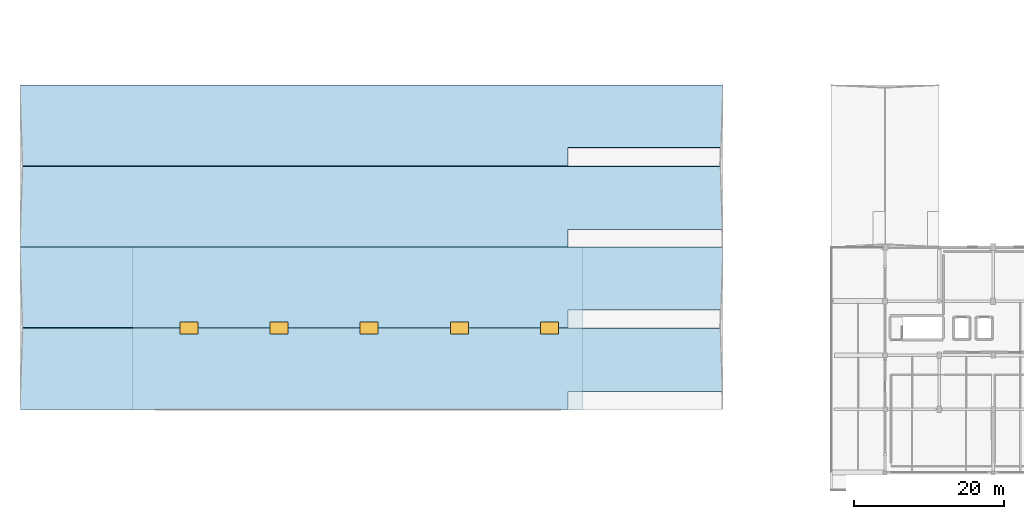
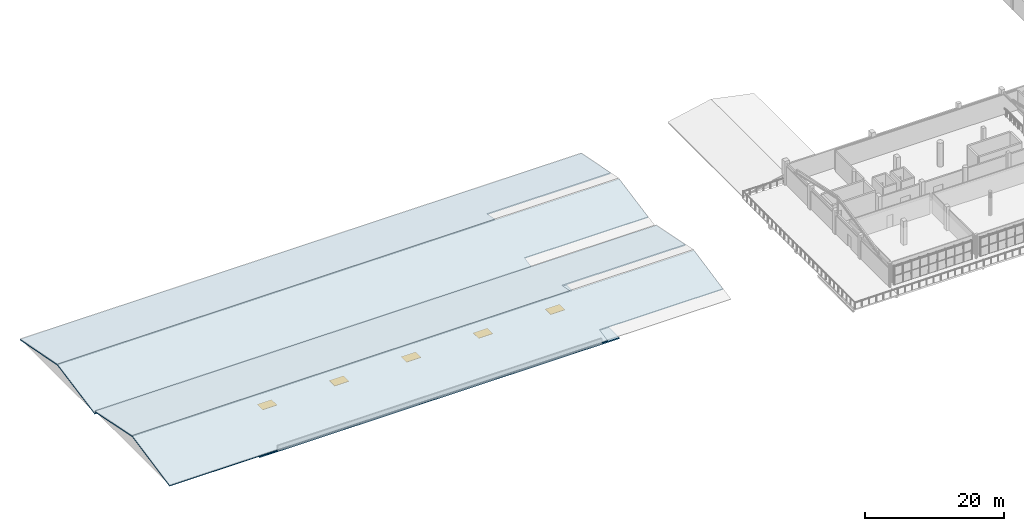
# One storey, part 21 of 41: 5 slabs, 5 windows, 5 openings.
"""IFC4 building model written with IfcOpenShell, lengths in metres."""

import ifcopenshell
import ifcopenshell.guid

model = None  # the IFC model being written
_history = None  # IfcOwnerHistory: only IFC2X3 demands one
_inside = {}  # id of a spatial element -> (the spatial element, [elements in it])
_under = {}  # id of a project, library or spatial element -> (it, [spatial elements below it])
_declared = {}  # id of a project -> (the project, [libraries it declares])
_typed = {}  # id of a type object -> (the type object, [elements of that type])
_made_of = {}  # id of a material, layer set ... -> (it, [elements and type objects made of it])


def new_model(schema):
    """Start an empty IFC model of exactly this schema.

    Asked for "IFC4X3", IfcOpenShell would pick the latest addendum, in which some entities
    have other attributes; the version numbers below select the first issue.
    IFC2X3 requires an IfcOwnerHistory on every rooted entity: one is made here for all.
    """
    global model, _history
    if schema == "IFC4X3":
        model = ifcopenshell.file(schema_version=(4, 3, 0, 0))
    else:
        model = ifcopenshell.file(schema=schema)
    _inside.clear()
    _under.clear()
    _declared.clear()
    _typed.clear()
    _made_of.clear()
    _history = None
    if model.schema == "IFC2X3":
        org = make("IfcOrganization", Name="unknown")
        user = make(
            "IfcPersonAndOrganization",
            ThePerson=make("IfcPerson", FamilyName="unknown"),
            TheOrganization=org,
        )
        app = make(
            "IfcApplication",
            ApplicationDeveloper=org,
            Version="unknown",
            ApplicationFullName="unknown",
            ApplicationIdentifier="unknown",
        )
        _history = make(
            "IfcOwnerHistory",
            OwningUser=user,
            OwningApplication=app,
            ChangeAction="ADDED",
            CreationDate=0,
        )
    return model


def make(cls, **values):
    """One entity of the class cls with the attributes given. An attribute that is None is left unset."""
    return model.create_entity(
        cls, **{name: value for name, value in values.items() if value is not None}
    )


def rooted(cls, **values):
    """An entity with a GlobalId (a new one), such as an element, a storey or a relation."""
    return make(cls, GlobalId=ifcopenshell.guid.new(), OwnerHistory=_history, **values)


def si_unit(unit_type, name, prefix=None):
    """IfcSIUnit, for example si_unit("LENGTHUNIT", "METRE", prefix="MILLI")."""
    return make("IfcSIUnit", UnitType=unit_type, Prefix=prefix, Name=name)


def assignment(units):
    """IfcUnitAssignment: the units of a project."""
    return None if units is None else make("IfcUnitAssignment", Units=units)


def point(xyz):
    """IfcCartesianPoint."""
    return None if xyz is None else make("IfcCartesianPoint", Coordinates=xyz)


def direction(xyz):
    """IfcDirection."""
    return None if xyz is None else make("IfcDirection", DirectionRatios=xyz)


def frame(location, z_axis=None, x_axis=None):
    """IfcAxis2Placement3D, a coordinate frame: its origin and axes. An axis left out is left unset."""
    return make(
        "IfcAxis2Placement3D",
        Location=point(location),
        Axis=direction(z_axis),
        RefDirection=direction(x_axis),
    )


def frame_2d(location, x_axis=None):
    """IfcAxis2Placement2D, a coordinate frame in the plane: its origin and x axis."""
    return make(
        "IfcAxis2Placement2D", Location=point(location), RefDirection=direction(x_axis)
    )


def origin():
    """The frame at (0, 0, 0) with its axes left unset."""
    return frame((0.0, 0.0, 0.0))


def origin_2d():
    """The frame at (0, 0) in the plane with its x axis left unset."""
    return frame_2d((0.0, 0.0))


def place(relative_to, where):
    """IfcLocalPlacement: puts the frame where relative to a parent placement (None: the world)."""
    return make(
        "IfcLocalPlacement", PlacementRelTo=relative_to, RelativePlacement=where
    )


def context(
    kind, dimensions, precision=None, world=None, true_north=None, identifier=None
):
    """IfcGeometricRepresentationContext, for example the 3D "Model" context."""
    return make(
        "IfcGeometricRepresentationContext",
        ContextIdentifier=identifier,
        ContextType=kind,
        CoordinateSpaceDimension=dimensions,
        Precision=precision,
        WorldCoordinateSystem=world,
        TrueNorth=true_north,
    )


def subcontext(parent, identifier, kind, view, scale=None):
    """IfcGeometricRepresentationSubContext, for example "Body" below "Model"."""
    return make(
        "IfcGeometricRepresentationSubContext",
        ContextIdentifier=identifier,
        ContextType=kind,
        ParentContext=parent,
        TargetScale=scale,
        TargetView=view,
    )


def project(units=None, contexts=None):
    """IfcProject with its units and contexts."""
    return rooted(
        "IfcProject",
        Name="project",
        RepresentationContexts=contexts,
        UnitsInContext=assignment(units),
    )


def spatial(cls, under=None, at=None, **own):
    """A site, building, storey or space (cls), placed at a placement, below another one or the project."""
    s = rooted(cls, ObjectPlacement=at, **own)
    if under is not None:
        _under.setdefault(under.id(), (under, []))[1].append(s)
    return s


def polyline(points):
    """IfcPolyline through the points."""
    return make("IfcPolyline", Points=[point(p) for p in points])


def profile(cls, at=None, kind="AREA", **sizes):
    """A parametric profile (cls). Its sizes go by their IFC names, for example OverallWidth=200.0."""
    return make(cls, ProfileType=kind, Position=at, **sizes)


def rectangle(**sizes):
    """IfcRectangleProfileDef."""
    return profile("IfcRectangleProfileDef", **sizes)


def outline(outer, holes=None, kind="AREA"):
    """IfcArbitraryClosedProfileDef: a profile drawn as a closed curve; with holes, ...WithVoids."""
    if holes is None:
        return make("IfcArbitraryClosedProfileDef", ProfileType=kind, OuterCurve=outer)
    return make(
        "IfcArbitraryProfileDefWithVoids",
        ProfileType=kind,
        OuterCurve=outer,
        InnerCurves=holes,
    )


def extrude(swept, where, along, depth):
    """IfcExtrudedAreaSolid: the profile swept, set in the frame where, extruded along a direction by depth."""
    return make(
        "IfcExtrudedAreaSolid",
        SweptArea=swept,
        Position=where,
        ExtrudedDirection=direction(along),
        Depth=depth,
    )


def shape(context_of_items, identifier, shape_type, items):
    """IfcShapeRepresentation: the items that make up one representation, for example the "Body"."""
    return make(
        "IfcShapeRepresentation",
        ContextOfItems=context_of_items,
        RepresentationIdentifier=identifier,
        RepresentationType=shape_type,
        Items=items,
    )


def material(Name=None, Category=None):
    """IfcMaterial."""
    return make("IfcMaterial", Name=Name, Category=Category)


def layer(
    of_material, thickness, ventilated=None, Name=None, Category=None, Priority=None
):
    """IfcMaterialLayer: one layer of a wall or slab, of a material (None: an air gap)."""
    return make(
        "IfcMaterialLayer",
        Material=of_material,
        LayerThickness=thickness,
        IsVentilated=ventilated,
        Name=Name,
        Category=Category,
        Priority=Priority,
    )


def layer_set(layers, Name=None):
    """IfcMaterialLayerSet."""
    return make("IfcMaterialLayerSet", MaterialLayers=layers, LayerSetName=Name)


def made_of(thing, what):
    """Note that an element or type object is made of a material, layer set ...; save() writes the relation."""
    if what is not None:
        _made_of.setdefault(what.id(), (what, []))[1].append(thing)
    return thing


def type_object(cls, material=None, **own):
    """A type object (cls), such as IfcWallType, which elements share."""
    return made_of(rooted(cls, **own), material)


def element(
    cls,
    number,
    at=None,
    inside=None,
    cuts=None,
    type_object=None,
    material=None,
    context=None,
    identifier="Body",
    shape_type=None,
    held_by="IfcProductDefinitionShape",
    body=None,
    shapes=None,
    **own,
):
    """One element of the class cls, such as IfcWall. Its Tag is "e" and its number.

    at: its placement. inside: the storey or other place that contains it. cuts: it is an
    opening in that element (IfcRelVoidsElement). A single representation is given by context,
    identifier, shape_type and body (its items); several are given by shapes. held_by: the class
    of the entity that holds the representations. save() writes the other relations.
    """
    e = rooted(cls, Tag="e%d" % number, ObjectPlacement=at, **own)
    if body is not None:
        shapes = [shape(context, identifier, shape_type, body)]
    if shapes is not None:
        e.Representation = make(held_by, Representations=shapes)
    if inside is not None:
        _inside.setdefault(inside.id(), (inside, []))[1].append(e)
    if cuts is not None:
        rooted(
            "IfcRelVoidsElement", RelatingBuildingElement=cuts, RelatedOpeningElement=e
        )
    if type_object is not None:
        _typed.setdefault(type_object.id(), (type_object, []))[1].append(e)
    return made_of(e, material)


def fill(opening, filler):
    """IfcRelFillsElement: the door or window that sits in an opening."""
    return rooted(
        "IfcRelFillsElement",
        RelatingOpeningElement=opening,
        RelatedBuildingElement=filler,
    )


def aggregate(whole, parts):
    """IfcRelAggregates: a whole, such as a stair, and the parts it consists of."""
    return rooted("IfcRelAggregates", RelatingObject=whole, RelatedObjects=parts)


def save(model, path):
    """Write the relations noted so far, then the file.

    IfcRelAggregates (storeys below a building ...), IfcRelContainedInSpatialStructure (elements
    in a storey), IfcRelDefinesByType, IfcRelAssociatesMaterial and IfcRelDeclares: one each for
    every whole, place, type object, material and project.
    """
    for whole, parts in _under.values():
        aggregate(whole, parts)
    for where, things in _inside.values():
        rooted(
            "IfcRelContainedInSpatialStructure",
            RelatedElements=things,
            RelatingStructure=where,
        )
    for kind, things in _typed.values():
        rooted("IfcRelDefinesByType", RelatedObjects=things, RelatingType=kind)
    for what, things in _made_of.values():
        rooted("IfcRelAssociatesMaterial", RelatedObjects=things, RelatingMaterial=what)
    for by, libraries in _declared.values():
        rooted("IfcRelDeclares", RelatingContext=by, RelatedDefinitions=libraries)
    model.write(path)


model = new_model("IFC4")

# Units and contexts
model_context = context("Model", 3, precision=1e-05, world=origin(), true_north=direction((0.0, 1.0)))
body_context = subcontext(model_context, "Body", "Model", "MODEL_VIEW")
ifc_project = project(units=[si_unit("LENGTHUNIT", "METRE"), si_unit("AREAUNIT", "SQUARE_METRE"), si_unit("VOLUMEUNIT", "CUBIC_METRE"), si_unit("PLANEANGLEUNIT", "RADIAN"), si_unit("MASSUNIT", "GRAM", prefix="KILO")], contexts=[model_context])

# Site, building, storey
site_placement = place(None, origin())
site = spatial("IfcSite", under=ifc_project, at=site_placement, CompositionType="ELEMENT")
building_placement = place(site_placement, origin())
building = spatial("IfcBuilding", under=site, at=building_placement, Name="Solanera Park Tramway Depot", CompositionType="ELEMENT")
storey_placement = place(building_placement, frame((0.0, 0.0, 13.199951171875)))
storey = spatial("IfcBuildingStorey", under=building, at=storey_placement, Name="L03", CompositionType="ELEMENT", Elevation=13.199951171875)

# Slabs
ifc_material_1 = material(Name="Concrete N40 (C40/50)", Category="concrete")
ifc_layer_1 = layer(ifc_material_1, 0.179931640625)
ifc_layer_set_1 = layer_set([ifc_layer_1], Name="Concrete N40 (C40/50)")
slab_type_1 = type_object("IfcSlabType", Name="Slab Roof 180", PredefinedType="ROOF", material=ifc_layer_set_1)
slab_1_placement = place(storey_placement, frame((0.0, 10.800048828125, 0.185791015625), z_axis=(-4.49132e-07, -0.199101758213, 0.979978821137), x_axis=(1.0, -8.9423e-08, 4.4014e-07)))
element("IfcSlab", 1, at=slab_1_placement, inside=storey, type_object=slab_type_1, Name="Pitched Roof Slab V2-HI.1", PredefinedType="ROOF", context=body_context, shape_type="SweptSolid", body=[
    extrude(outline(polyline([(0.0, 0.0), (73.00805664061764, -9.662535842127732e-22), (73.0080566406554, 2.4090893933790314), (93.60009765627832, 2.4090893933790314), (93.60009765624888, 10.951193071808524), (8.307623435900737e-12, 10.951193071808524), (0.0, 0.0)])), origin(), (0.0, 0.0, -1.0), 0.179931640625),
])
slab_2_placement = place(storey_placement, frame((0.0, 21.66796875, 2.3662109375), z_axis=(1.76262e-07, 0.199102763847, 0.979978616822), x_axis=(1.0, -3.5094e-08, -1.72733e-07)))
element("IfcSlab", 2, at=slab_2_placement, inside=storey, type_object=slab_type_1, Name="Pitched Roof Slab V2-HI.2", PredefinedType="ROOF", context=body_context, shape_type="SweptSolid", body=[
    extrude(outline(polyline([(0.0, 0.0), (73.00805664062386, 0.0), (73.00805664062968, 2.4093286460560392), (93.60009765625436, 2.4093286460560392), (93.60009765624983, 10.951193071821741), (1.279521530977881e-12, 10.951193071821741), (0.0, 0.0)])), origin(), (0.0, 0.0, -1.0), 0.179931640625),
])
slab_3_placement = place(storey_placement, frame((0.0, 32.39990234375, -0.214599609375), z_axis=(-3.71501e-07, -0.190403818379, 0.981705855105), x_axis=(1.0, -7.0735e-08, 3.64705e-07)))
element("IfcSlab", 3, at=slab_3_placement, inside=storey, type_object=slab_type_1, Name="Pitched Roof Slab V2-CR.1", PredefinedType="ROOF", context=body_context, shape_type="SweptSolid", body=[
    extrude(outline(polyline([(0.0, 0.0), (73.00805664061997, -9.662535842127732e-22), (73.0080566406458, 2.4050964082021), (93.60009765626938, 2.4050964082021), (93.60009765624922, 10.932175449229353), (5.683941323035375e-12, 10.932175449229353), (0.0, 0.0)])), origin(), (0.0, 0.0, -1.0), 0.179931640625),
])
slab_4_placement = place(storey_placement, frame((0.0, 43.26806640625, 1.866943359375), z_axis=(5.75044e-07, 0.190407240051, 0.981705191458), x_axis=(1.0, -1.09493e-07, -5.64524e-07)))
element("IfcSlab", 4, at=slab_4_placement, inside=storey, type_object=slab_type_1, Name="Pitched Roof Slab V2-CR.2", PredefinedType="ROOF", context=body_context, shape_type="SweptSolid", body=[
    extrude(outline(polyline([(0.0, 0.0), (73.00805664061293, 9.662535842127732e-22), (73.00805664067484, 2.404856734310877), (93.60009765629643, 2.404856734310877), (93.60009765624814, 10.931935775097267), (1.3618586435273759e-11, 10.931935775097267), (0.0, 0.0)])), origin(), (0.0, 0.0, -1.0), 0.179931640625),
])

# Slab, openings, windows
ifc_material_2 = material(Name="Concrete N40 (C40/50)", Category="concrete")
ifc_layer_2 = layer(ifc_material_2, 0.199951171875)
ifc_layer_set_2 = layer_set([ifc_layer_2], Name="Concrete N40 (C40/50)")
slab_type_2 = type_object("IfcSlabType", Name="Slab Roof 200", PredefinedType="ROOF", material=ifc_layer_set_2)
slab_5_placement = place(storey_placement, frame((0.0, 0.0, -0.199951171875)))
slab_5 = element("IfcSlab", 5, at=slab_5_placement, inside=storey, type_object=slab_type_2, Name="V2 Gallery Skylight Deck Slab", PredefinedType="ROOF", context=body_context, shape_type="SweptSolid", body=[
    extrude(outline(polyline([(15.0, 10.800048828125), (75.0, 10.800048828125), (75.0, 32.39990234375), (15.0, 32.39990234375), (15.0, 10.800048828125)])), origin(), (0.0, 0.0, 1.0), 0.199951171875),
])
opening_1_placement = place(slab_5_placement, frame((22.5, 21.60009765625, -0.010009765625)))
opening_1 = element("IfcOpeningElement", 6, at=opening_1_placement, cuts=slab_5, Name="Opening SK-24", PredefinedType="OPENING", context=body_context, shape_type="SweptSolid", body=[
    extrude(rectangle(XDim=2.39990234375, YDim=1.60009765625, at=origin_2d()), origin(), (0.0, 0.0, 1.0), 0.219970703125),
])
opening_2_placement = place(slab_5_placement, frame((34.5, 21.60009765625, -0.010009765625)))
opening_2 = element("IfcOpeningElement", 7, at=opening_2_placement, cuts=slab_5, Name="Opening SK-24", PredefinedType="OPENING", context=body_context, shape_type="SweptSolid", body=[
    extrude(rectangle(XDim=2.39990234375, YDim=1.60009765625, at=origin_2d()), origin(), (0.0, 0.0, 1.0), 0.219970703125),
])
opening_3_placement = place(slab_5_placement, frame((46.5, 21.60009765625, -0.010009765625)))
opening_3 = element("IfcOpeningElement", 8, at=opening_3_placement, cuts=slab_5, Name="Opening SK-24", PredefinedType="OPENING", context=body_context, shape_type="SweptSolid", body=[
    extrude(rectangle(XDim=2.39990234375, YDim=1.60009765625, at=origin_2d()), origin(), (0.0, 0.0, 1.0), 0.219970703125),
])
opening_4_placement = place(slab_5_placement, frame((58.5, 21.60009765625, -0.010009765625)))
opening_4 = element("IfcOpeningElement", 9, at=opening_4_placement, cuts=slab_5, Name="Opening SK-24", PredefinedType="OPENING", context=body_context, shape_type="SweptSolid", body=[
    extrude(rectangle(XDim=2.39990234375, YDim=1.60009765625, at=origin_2d()), origin(), (0.0, 0.0, 1.0), 0.219970703125),
])
opening_5_placement = place(slab_5_placement, frame((70.5, 21.60009765625, -0.010009765625)))
opening_5 = element("IfcOpeningElement", 10, at=opening_5_placement, cuts=slab_5, Name="Opening SK-24", PredefinedType="OPENING", context=body_context, shape_type="SweptSolid", body=[
    extrude(rectangle(XDim=2.39990234375, YDim=1.60009765625, at=origin_2d()), origin(), (0.0, 0.0, 1.0), 0.219970703125),
])
ifc_material_3 = material(Name="Powder-coated aluminium frame with solar-control double glazing", Category="aluminium")
window_type = type_object("IfcWindowType", Name="Gallery Roof Hatch Skylight 2400x1600", PartitioningType="SINGLE_PANEL", PredefinedType="SKYLIGHT", material=ifc_material_3)
window_1_placement = place(slab_5_placement, frame((22.5, 21.60009765625, 0.14990234375)))
window_1 = element("IfcWindow", 11, at=window_1_placement, inside=storey, type_object=window_type, Name="Gallery Roof Skylight #1", OverallHeight=1.60009765625, OverallWidth=2.39990234375, PartitioningType="SINGLE_PANEL", PredefinedType="SKYLIGHT", context=body_context, shape_type="SweptSolid", body=[
    extrude(rectangle(XDim=2.39990234375, YDim=1.60009765625, at=origin_2d()), origin(), (0.0, 0.0, 1.0), 0.050048828125),
])
fill(opening_1, window_1)
window_2_placement = place(slab_5_placement, frame((34.5, 21.60009765625, 0.14990234375)))
window_2 = element("IfcWindow", 12, at=window_2_placement, inside=storey, type_object=window_type, Name="Gallery Roof Skylight #2", OverallHeight=1.60009765625, OverallWidth=2.39990234375, PartitioningType="SINGLE_PANEL", PredefinedType="SKYLIGHT", context=body_context, shape_type="SweptSolid", body=[
    extrude(rectangle(XDim=2.39990234375, YDim=1.60009765625, at=origin_2d()), origin(), (0.0, 0.0, 1.0), 0.050048828125),
])
fill(opening_2, window_2)
window_3_placement = place(slab_5_placement, frame((46.5, 21.60009765625, 0.14990234375)))
window_3 = element("IfcWindow", 13, at=window_3_placement, inside=storey, type_object=window_type, Name="Gallery Roof Skylight #3", OverallHeight=1.60009765625, OverallWidth=2.39990234375, PartitioningType="SINGLE_PANEL", PredefinedType="SKYLIGHT", context=body_context, shape_type="SweptSolid", body=[
    extrude(rectangle(XDim=2.39990234375, YDim=1.60009765625, at=origin_2d()), origin(), (0.0, 0.0, 1.0), 0.050048828125),
])
fill(opening_3, window_3)
window_4_placement = place(slab_5_placement, frame((58.5, 21.60009765625, 0.14990234375)))
window_4 = element("IfcWindow", 14, at=window_4_placement, inside=storey, type_object=window_type, Name="Gallery Roof Skylight #4", OverallHeight=1.60009765625, OverallWidth=2.39990234375, PartitioningType="SINGLE_PANEL", PredefinedType="SKYLIGHT", context=body_context, shape_type="SweptSolid", body=[
    extrude(rectangle(XDim=2.39990234375, YDim=1.60009765625, at=origin_2d()), origin(), (0.0, 0.0, 1.0), 0.050048828125),
])
fill(opening_4, window_4)
window_5_placement = place(slab_5_placement, frame((70.5, 21.60009765625, 0.14990234375)))
window_5 = element("IfcWindow", 15, at=window_5_placement, inside=storey, type_object=window_type, Name="Gallery Roof Skylight #5", OverallHeight=1.60009765625, OverallWidth=2.39990234375, PartitioningType="SINGLE_PANEL", PredefinedType="SKYLIGHT", context=body_context, shape_type="SweptSolid", body=[
    extrude(rectangle(XDim=2.39990234375, YDim=1.60009765625, at=origin_2d()), origin(), (0.0, 0.0, 1.0), 0.050048828125),
])
fill(opening_5, window_5)

save(model, "model.ifc")
